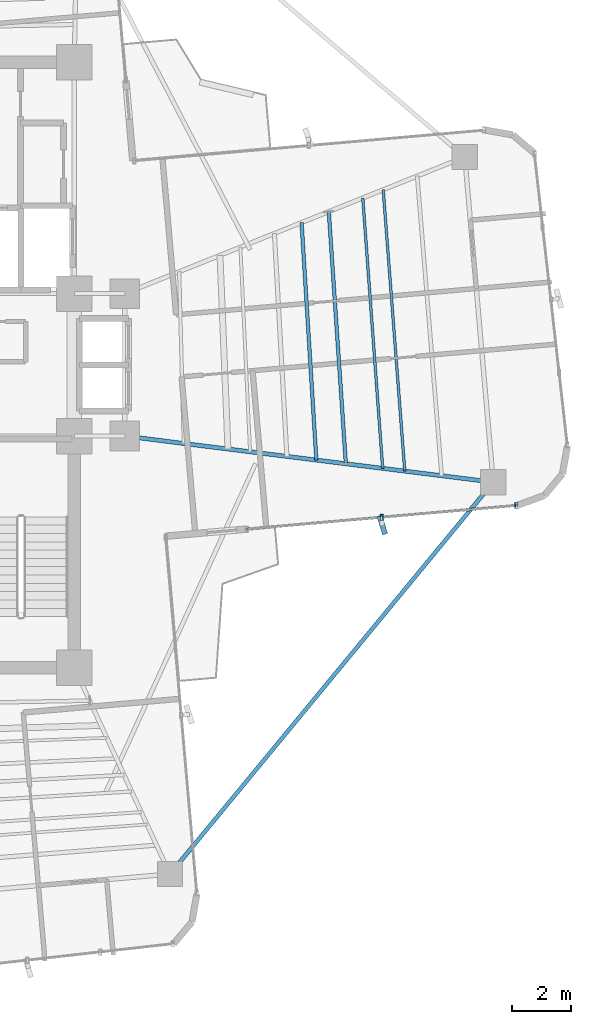
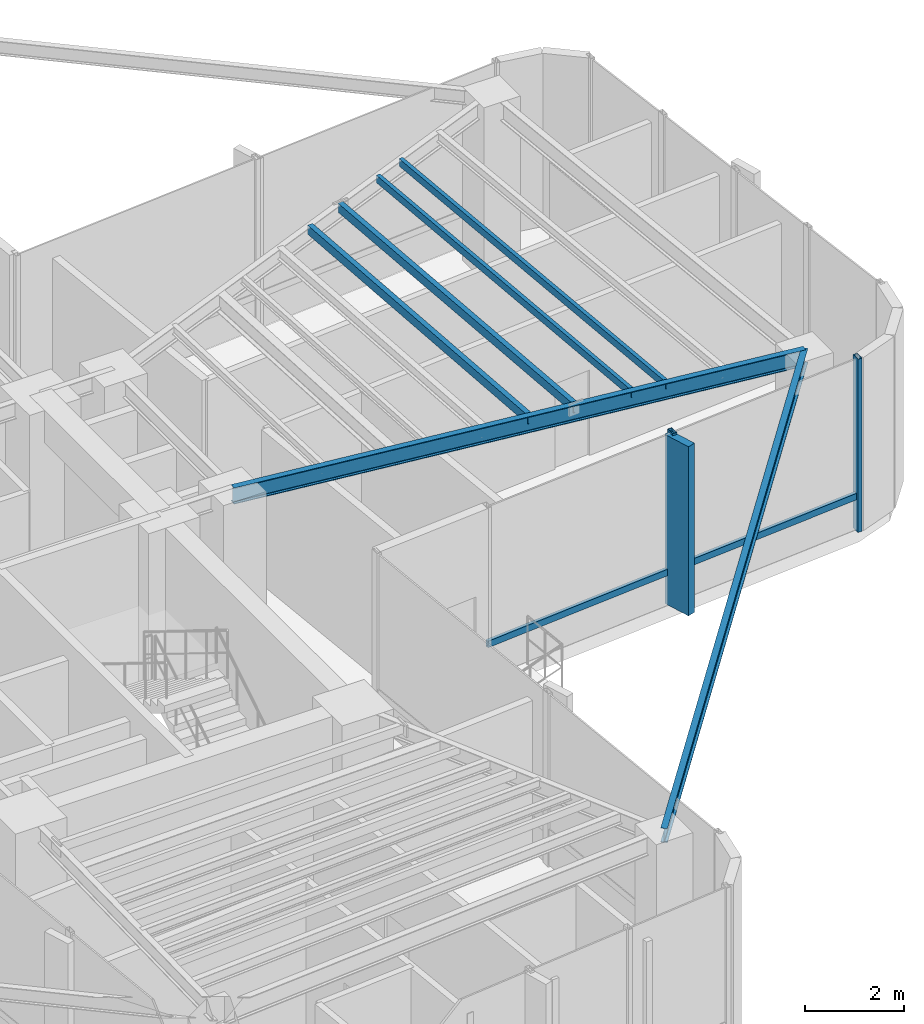
# One storey, part 8 of 19: 6 beams, 5 members, 1 element without a shape of its own.
"""IFC4 building model written with IfcOpenShell, lengths in metres."""

import ifcopenshell
import ifcopenshell.guid

model = None  # the IFC model being written
_history = None  # IfcOwnerHistory: only IFC2X3 demands one
_inside = {}  # id of a spatial element -> (the spatial element, [elements in it])
_under = {}  # id of a project, library or spatial element -> (it, [spatial elements below it])
_declared = {}  # id of a project -> (the project, [libraries it declares])
_typed = {}  # id of a type object -> (the type object, [elements of that type])
_made_of = {}  # id of a material, layer set ... -> (it, [elements and type objects made of it])


def new_model(schema):
    """Start an empty IFC model of exactly this schema.

    Asked for "IFC4X3", IfcOpenShell would pick the latest addendum, in which some entities
    have other attributes; the version numbers below select the first issue.
    IFC2X3 requires an IfcOwnerHistory on every rooted entity: one is made here for all.
    """
    global model, _history
    if schema == "IFC4X3":
        model = ifcopenshell.file(schema_version=(4, 3, 0, 0))
    else:
        model = ifcopenshell.file(schema=schema)
    _inside.clear()
    _under.clear()
    _declared.clear()
    _typed.clear()
    _made_of.clear()
    _history = None
    if model.schema == "IFC2X3":
        org = make("IfcOrganization", Name="unknown")
        user = make(
            "IfcPersonAndOrganization",
            ThePerson=make("IfcPerson", FamilyName="unknown"),
            TheOrganization=org,
        )
        app = make(
            "IfcApplication",
            ApplicationDeveloper=org,
            Version="unknown",
            ApplicationFullName="unknown",
            ApplicationIdentifier="unknown",
        )
        _history = make(
            "IfcOwnerHistory",
            OwningUser=user,
            OwningApplication=app,
            ChangeAction="ADDED",
            CreationDate=0,
        )
    return model


def make(cls, **values):
    """One entity of the class cls with the attributes given. An attribute that is None is left unset."""
    return model.create_entity(
        cls, **{name: value for name, value in values.items() if value is not None}
    )


def rooted(cls, **values):
    """An entity with a GlobalId (a new one), such as an element, a storey or a relation."""
    return make(cls, GlobalId=ifcopenshell.guid.new(), OwnerHistory=_history, **values)


def si_unit(unit_type, name, prefix=None):
    """IfcSIUnit, for example si_unit("LENGTHUNIT", "METRE", prefix="MILLI")."""
    return make("IfcSIUnit", UnitType=unit_type, Prefix=prefix, Name=name)


def assignment(units):
    """IfcUnitAssignment: the units of a project."""
    return None if units is None else make("IfcUnitAssignment", Units=units)


def point(xyz):
    """IfcCartesianPoint."""
    return None if xyz is None else make("IfcCartesianPoint", Coordinates=xyz)


def direction(xyz):
    """IfcDirection."""
    return None if xyz is None else make("IfcDirection", DirectionRatios=xyz)


def frame(location, z_axis=None, x_axis=None):
    """IfcAxis2Placement3D, a coordinate frame: its origin and axes. An axis left out is left unset."""
    return make(
        "IfcAxis2Placement3D",
        Location=point(location),
        Axis=direction(z_axis),
        RefDirection=direction(x_axis),
    )


def frame_2d(location, x_axis=None):
    """IfcAxis2Placement2D, a coordinate frame in the plane: its origin and x axis."""
    return make(
        "IfcAxis2Placement2D", Location=point(location), RefDirection=direction(x_axis)
    )


def origin():
    """The frame at (0, 0, 0) with its axes left unset."""
    return frame((0.0, 0.0, 0.0))


def origin_2d():
    """The frame at (0, 0) in the plane with its x axis left unset."""
    return frame_2d((0.0, 0.0))


def place(relative_to, where):
    """IfcLocalPlacement: puts the frame where relative to a parent placement (None: the world)."""
    return make(
        "IfcLocalPlacement", PlacementRelTo=relative_to, RelativePlacement=where
    )


def context(
    kind, dimensions, precision=None, world=None, true_north=None, identifier=None
):
    """IfcGeometricRepresentationContext, for example the 3D "Model" context."""
    return make(
        "IfcGeometricRepresentationContext",
        ContextIdentifier=identifier,
        ContextType=kind,
        CoordinateSpaceDimension=dimensions,
        Precision=precision,
        WorldCoordinateSystem=world,
        TrueNorth=true_north,
    )


def subcontext(parent, identifier, kind, view, scale=None):
    """IfcGeometricRepresentationSubContext, for example "Body" below "Model"."""
    return make(
        "IfcGeometricRepresentationSubContext",
        ContextIdentifier=identifier,
        ContextType=kind,
        ParentContext=parent,
        TargetScale=scale,
        TargetView=view,
    )


def project(units=None, contexts=None):
    """IfcProject with its units and contexts."""
    return rooted(
        "IfcProject",
        Name="project",
        RepresentationContexts=contexts,
        UnitsInContext=assignment(units),
    )


def spatial(cls, under=None, at=None, **own):
    """A site, building, storey or space (cls), placed at a placement, below another one or the project."""
    s = rooted(cls, ObjectPlacement=at, **own)
    if under is not None:
        _under.setdefault(under.id(), (under, []))[1].append(s)
    return s


def profile(cls, at=None, kind="AREA", **sizes):
    """A parametric profile (cls). Its sizes go by their IFC names, for example OverallWidth=200.0."""
    return make(cls, ProfileType=kind, Position=at, **sizes)


def rectangle(**sizes):
    """IfcRectangleProfileDef."""
    return profile("IfcRectangleProfileDef", **sizes)


def hollow_rectangle(**sizes):
    """IfcRectangleHollowProfileDef."""
    return profile("IfcRectangleHollowProfileDef", **sizes)


def i_section(**sizes):
    """IfcIShapeProfileDef."""
    return profile("IfcIShapeProfileDef", **sizes)


def extrude(swept, where, along, depth):
    """IfcExtrudedAreaSolid: the profile swept, set in the frame where, extruded along a direction by depth."""
    return make(
        "IfcExtrudedAreaSolid",
        SweptArea=swept,
        Position=where,
        ExtrudedDirection=direction(along),
        Depth=depth,
    )


def shape(context_of_items, identifier, shape_type, items):
    """IfcShapeRepresentation: the items that make up one representation, for example the "Body"."""
    return make(
        "IfcShapeRepresentation",
        ContextOfItems=context_of_items,
        RepresentationIdentifier=identifier,
        RepresentationType=shape_type,
        Items=items,
    )


def source(mapping_origin, context_of_items, identifier, shape_type, items):
    """IfcRepresentationMap: a shape defined once, which mapped items show again and again."""
    return make(
        "IfcRepresentationMap",
        MappingOrigin=mapping_origin,
        MappedRepresentation=shape(context_of_items, identifier, shape_type, items),
    )


def transform(
    local_origin,
    x_axis=None,
    y_axis=None,
    z_axis=None,
    scale=None,
    scale2=None,
    scale3=None,
    uniform=True,
):
    """IfcCartesianTransformationOperator3D, or its non-uniform kind. x_axis, y_axis, z_axis: its Axis1, 2, 3."""
    if uniform:
        return make(
            "IfcCartesianTransformationOperator3D",
            Axis1=direction(x_axis),
            Axis2=direction(y_axis),
            LocalOrigin=point(local_origin),
            Scale=scale,
            Axis3=direction(z_axis),
        )
    return make(
        "IfcCartesianTransformationOperator3DnonUniform",
        Axis1=direction(x_axis),
        Axis2=direction(y_axis),
        LocalOrigin=point(local_origin),
        Scale=scale,
        Axis3=direction(z_axis),
        Scale2=scale2,
        Scale3=scale3,
    )


def mapped(mapping_source, mapping_target):
    """IfcMappedItem: shows the shape of a source again, moved by a transform."""
    return make(
        "IfcMappedItem", MappingSource=mapping_source, MappingTarget=mapping_target
    )


def material(Name=None, Category=None):
    """IfcMaterial."""
    return make("IfcMaterial", Name=Name, Category=Category)


def material_profile(
    of_material, cross_section, Name=None, Category=None, Priority=None
):
    """IfcMaterialProfile: a cross section and its material."""
    return make(
        "IfcMaterialProfile",
        Name=Name,
        Material=of_material,
        Profile=cross_section,
        Priority=Priority,
        Category=Category,
    )


def profile_set(profiles, Name=None, composite=None):
    """IfcMaterialProfileSet."""
    return make(
        "IfcMaterialProfileSet",
        Name=Name,
        MaterialProfiles=profiles,
        CompositeProfile=composite,
    )


def made_of(thing, what):
    """Note that an element or type object is made of a material, layer set ...; save() writes the relation."""
    if what is not None:
        _made_of.setdefault(what.id(), (what, []))[1].append(thing)
    return thing


def type_object(cls, material=None, **own):
    """A type object (cls), such as IfcWallType, which elements share."""
    return made_of(rooted(cls, **own), material)


def element(
    cls,
    number,
    at=None,
    inside=None,
    cuts=None,
    type_object=None,
    material=None,
    context=None,
    identifier="Body",
    shape_type=None,
    held_by="IfcProductDefinitionShape",
    body=None,
    shapes=None,
    **own,
):
    """One element of the class cls, such as IfcWall. Its Tag is "e" and its number.

    at: its placement. inside: the storey or other place that contains it. cuts: it is an
    opening in that element (IfcRelVoidsElement). A single representation is given by context,
    identifier, shape_type and body (its items); several are given by shapes. held_by: the class
    of the entity that holds the representations. save() writes the other relations.
    """
    e = rooted(cls, Tag="e%d" % number, ObjectPlacement=at, **own)
    if body is not None:
        shapes = [shape(context, identifier, shape_type, body)]
    if shapes is not None:
        e.Representation = make(held_by, Representations=shapes)
    if inside is not None:
        _inside.setdefault(inside.id(), (inside, []))[1].append(e)
    if cuts is not None:
        rooted(
            "IfcRelVoidsElement", RelatingBuildingElement=cuts, RelatedOpeningElement=e
        )
    if type_object is not None:
        _typed.setdefault(type_object.id(), (type_object, []))[1].append(e)
    return made_of(e, material)


def aggregate(whole, parts):
    """IfcRelAggregates: a whole, such as a stair, and the parts it consists of."""
    return rooted("IfcRelAggregates", RelatingObject=whole, RelatedObjects=parts)


def save(model, path):
    """Write the relations noted so far, then the file.

    IfcRelAggregates (storeys below a building ...), IfcRelContainedInSpatialStructure (elements
    in a storey), IfcRelDefinesByType, IfcRelAssociatesMaterial and IfcRelDeclares: one each for
    every whole, place, type object, material and project.
    """
    for whole, parts in _under.values():
        aggregate(whole, parts)
    for where, things in _inside.values():
        rooted(
            "IfcRelContainedInSpatialStructure",
            RelatedElements=things,
            RelatingStructure=where,
        )
    for kind, things in _typed.values():
        rooted("IfcRelDefinesByType", RelatedObjects=things, RelatingType=kind)
    for what, things in _made_of.values():
        rooted("IfcRelAssociatesMaterial", RelatedObjects=things, RelatingMaterial=what)
    for by, libraries in _declared.values():
        rooted("IfcRelDeclares", RelatingContext=by, RelatedDefinitions=libraries)
    model.write(path)


model = new_model("IFC4")

# Units and contexts
model_context = context("Model", 3, precision=1e-05, world=origin(), true_north=direction((0.0, 1.0)))
body_context = subcontext(model_context, "Body", "Model", "MODEL_VIEW")
ifc_project = project(units=[si_unit("LENGTHUNIT", "METRE"), si_unit("AREAUNIT", "SQUARE_METRE"), si_unit("VOLUMEUNIT", "CUBIC_METRE"), si_unit("PLANEANGLEUNIT", "RADIAN"), si_unit("MASSUNIT", "GRAM", prefix="KILO")], contexts=[model_context])

# Site, building, storey
site_placement = place(None, origin())
site = spatial("IfcSite", under=ifc_project, at=site_placement, CompositionType="ELEMENT")
building_placement = place(site_placement, origin())
building = spatial("IfcBuilding", under=site, at=building_placement, Name="Sahyath Konkavel Grand Hotel", CompositionType="ELEMENT")
storey_placement = place(building_placement, frame((0.0, 0.0, 142.75)))
storey = spatial("IfcBuildingStorey", under=building, at=storey_placement, Name="L39", CompositionType="ELEMENT", Elevation=142.75)

# Beams
ifc_material_1 = material(Name="Steel E350", Category="steel")
ifc_material_profile_1 = material_profile(ifc_material_1, i_section(OverallWidth=0.139892578125, OverallDepth=0.39990234375, WebThickness=0.0087890625, FlangeThickness=0.01611328125, FilletRadius=0.013916015625, at=origin_2d()), Name="ISMB 400")
ifc_profile_set_1 = profile_set([ifc_material_profile_1], Name="Steel E350")
beam_type_1 = type_object("IfcBeamType", Name="BM-ISMB400", PredefinedType="BEAM", material=ifc_profile_set_1)
shared_shape_1 = source(origin(), body_context, "Body", "SweptSolid", [
    extrude(i_section(OverallWidth=0.139892578125, OverallDepth=0.39990234375, WebThickness=0.0087890625, FlangeThickness=0.01611328125, FilletRadius=0.013916015625, at=origin_2d()), origin(), (0.0, 0.0, 1.0), 12.509765625),
])
beam_1_placement = place(storey_placement, frame((5.5, -2.39990234375, 4.06005859375), z_axis=(0.992254740459, -0.124219684578, 0.0), x_axis=(0.124219684578, 0.992254740459, 0.0)))
element("IfcBeam", 1, at=beam_1_placement, inside=storey, type_object=beam_type_1, Name="L39 Cruciform Radial Girder EA", PredefinedType="BEAM", context=body_context, shape_type="MappedRepresentation", body=[
    mapped(shared_shape_1, transform((0.0, 0.0, 0.0), scale=1.0)),
])
ifc_material_profile_2 = material_profile(ifc_material_1, i_section(OverallWidth=0.139892578125, OverallDepth=0.35009765625, WebThickness=0.008056640625, FlangeThickness=0.01416015625, FilletRadius=0.013916015625, at=origin_2d()), Name="ISMB 350")
ifc_profile_set_2 = profile_set([ifc_material_profile_2], Name="Steel E350")
beam_type_2 = type_object("IfcBeamType", Name="BM-ISMB350", PredefinedType="BEAM", material=ifc_profile_set_2)
shared_shape_2 = source(origin(), body_context, "Body", "SweptSolid", [
    extrude(i_section(OverallWidth=0.139892578125, OverallDepth=0.35009765625, WebThickness=0.008056640625, FlangeThickness=0.01416015625, FilletRadius=0.013916015625, at=origin_2d()), origin(), (0.0, 0.0, 1.0), 17.112548828125),
])
beam_2_placement = place(storey_placement, frame((17.912841796875, -3.953857421875, 4.0849609375), z_axis=(-0.636437070092, -0.77132863023, 0.0), x_axis=(0.77132863023, -0.636437070092, 0.0)))
element("IfcBeam", 2, at=beam_2_placement, inside=storey, type_object=beam_type_2, Name="L39 Re-Entrant Tie Beam SE", PredefinedType="BEAM", context=body_context, shape_type="MappedRepresentation", body=[
    mapped(shared_shape_2, transform((0.0, 0.0, 0.0), scale=1.0)),
])
ifc_material_profile_3 = material_profile(ifc_material_1, hollow_rectangle(XDim=0.1201171875, YDim=0.219970703125, WallThickness=0.010009765625, at=origin_2d()), Name="RHS 220x120x10")
ifc_profile_set_3 = profile_set([ifc_material_profile_3], Name="Steel E350")
beam_type_3 = type_object("IfcBeamType", Name="BM-RHS220", PredefinedType="BEAM", material=ifc_profile_set_3)
shared_shape_3 = source(origin(), body_context, "Body", "SweptSolid", [
    extrude(hollow_rectangle(XDim=0.1201171875, YDim=0.219970703125, WallThickness=0.010009765625, at=origin_2d()), origin(), (0.0, 0.0, 1.0), 8.017822265625),
])
beam_3_placement = place(storey_placement, frame((11.95458984375, -3.2080078125, 4.14990234375), z_axis=(-0.062179233264, 0.998064999362, 0.0), x_axis=(-0.998064999362, -0.062179233264, 0.0)))
element("IfcBeam", 3, at=beam_3_placement, inside=storey, type_object=beam_type_3, Name="L39 Secondary Floor Beam E-2", PredefinedType="BEAM", context=body_context, shape_type="MappedRepresentation", body=[
    mapped(shared_shape_3, transform((0.0, 0.0, 0.0), scale=1.0)),
])
ifc_material_profile_4 = material_profile(ifc_material_1, hollow_rectangle(XDim=0.090087890625, YDim=0.179931640625, WallThickness=0.008056640625, at=origin_2d()), Name="RHS 180x90x8")
ifc_profile_set_4 = profile_set([ifc_material_profile_4], Name="Steel E350")
beam_type_4 = type_object("IfcBeamType", Name="BM-RHS180", PredefinedType="BEAM", material=ifc_profile_set_4)
shared_shape_4 = source(origin(), body_context, "Body", "SweptSolid", [
    extrude(hollow_rectangle(XDim=0.090087890625, YDim=0.179931640625, WallThickness=0.008056640625, at=origin_2d()), origin(), (0.0, 0.0, 1.0), 9.508056640625),
])
beam_4_placement = place(storey_placement, frame((14.93359375, -3.580810546875, 4.169921875), z_axis=(-0.076619921029, 0.997060373148, 0.0), x_axis=(-0.997060373148, -0.076619921029, 0.0)))
element("IfcBeam", 4, at=beam_4_placement, inside=storey, type_object=beam_type_4, Name="L39 Secondary Floor Beam E-3", PredefinedType="BEAM", context=body_context, shape_type="MappedRepresentation", body=[
    mapped(shared_shape_4, transform((0.0, 0.0, 0.0), scale=1.0)),
])
shared_shape_5 = source(origin(), body_context, "Body", "SweptSolid", [
    extrude(hollow_rectangle(XDim=0.1201171875, YDim=0.219970703125, WallThickness=0.010009765625, at=origin_2d()), origin(), (0.0, 0.0, 1.0), 8.514404296875),
])
beam_5_placement = place(storey_placement, frame((12.94775390625, -3.332275390625, 4.14990234375), z_axis=(-0.067556190537, 0.997715471024, 0.0), x_axis=(-0.997715471024, -0.067556190537, 0.0)))
element("IfcBeam", 5, at=beam_5_placement, inside=storey, type_object=beam_type_3, Name="L39 Composite Deck Sub-Beam E-4", PredefinedType="BEAM", context=body_context, shape_type="MappedRepresentation", body=[
    mapped(shared_shape_5, transform((0.0, 0.0, 0.0), scale=1.0)),
])
shared_shape_6 = source(origin(), body_context, "Body", "SweptSolid", [
    extrude(hollow_rectangle(XDim=0.090087890625, YDim=0.179931640625, WallThickness=0.008056640625, at=origin_2d()), origin(), (0.0, 0.0, 1.0), 9.135498046875),
])
beam_6_placement = place(storey_placement, frame((14.18896484375, -3.48779296875, 4.169921875), z_axis=(-0.073465127158, 0.997297786567, 0.0), x_axis=(-0.997297786567, -0.073465127158, 0.0)))
element("IfcBeam", 6, at=beam_6_placement, inside=storey, type_object=beam_type_4, Name="L39 Composite Deck Sub-Beam E-5", PredefinedType="BEAM", context=body_context, shape_type="MappedRepresentation", body=[
    mapped(shared_shape_6, transform((0.0, 0.0, 0.0), scale=1.0)),
])

# Curtain wall, members
ifc_material_2 = material(Name="Anodised Bronze Aluminium & Low-E Glazing", Category="aluminium")
curtain_wall_type = type_object("IfcCurtainWallType", Name="CW-SKYLOBBY", PredefinedType="NOTDEFINED", material=ifc_material_2)
curtain_wall_placement = place(storey_placement, origin())
curtain_wall = element("IfcCurtainWall", 7, at=curtain_wall_placement, inside=storey, type_object=curtain_wall_type, Name="L39 Unitised Curtain Wall F0", PredefinedType="NOTDEFINED")
ifc_material_3 = material(Name="Anodised Bronze Aluminium", Category="aluminium")
ifc_material_profile_5 = material_profile(ifc_material_3, hollow_rectangle(XDim=0.10009765625, YDim=0.199951171875, WallThickness=0.008056640625, at=origin_2d()), Name="RHS 200x100x8")
ifc_profile_set_5 = profile_set([ifc_material_profile_5], Name="Anodised Bronze Aluminium")
member_type_1 = type_object("IfcMemberType", Name="CW-MUL-200", PredefinedType="MULLION", material=ifc_profile_set_5)
shared_shape_7 = source(origin(), body_context, "Body", "SweptSolid", [
    extrude(hollow_rectangle(XDim=0.10009765625, YDim=0.199951171875, WallThickness=0.008056640625, at=origin_2d()), origin(), (0.0, 0.0, 1.0), 4.260009765625),
])
member_1_placement = place(storey_placement, frame((14.151611328125, -5.135986328125, 0.0), z_axis=(0.0, 0.0, 1.0), x_axis=(1.0, 0.0, 0.0)))
member_1 = element("IfcMember", 8, at=member_1_placement, type_object=member_type_1, Name="L39 Curtain Wall Mullion F0-1", PredefinedType="MULLION", context=body_context, shape_type="MappedRepresentation", body=[
    mapped(shared_shape_7, transform((0.0, 0.0, 0.0), scale=1.0)),
])
member_2_placement = place(storey_placement, frame((18.694091796875, -4.73876953125, 0.0), z_axis=(0.0, 0.0, 1.0), x_axis=(1.0, 0.0, 0.0)))
member_2 = element("IfcMember", 9, at=member_2_placement, type_object=member_type_1, Name="L39 Curtain Wall Mullion F0-2", PredefinedType="MULLION", context=body_context, shape_type="MappedRepresentation", body=[
    mapped(shared_shape_7, transform((0.0, 0.0, 0.0), scale=1.0)),
])
ifc_material_4 = material(Name="Warm Buff Sandstone Cladding on Concrete C50/60", Category="masonry")
ifc_material_profile_6 = material_profile(ifc_material_4, rectangle(XDim=0.179931640625, YDim=0.64990234375, at=origin_2d()), Name="FIN 180x650")
ifc_profile_set_6 = profile_set([ifc_material_profile_6], Name="Warm Buff Sandstone Cladding on Concrete C50/60")
member_type_2 = type_object("IfcMemberType", Name="FIN-SANDSTONE-650", PredefinedType="MULLION", material=ifc_profile_set_6)
shared_shape_8 = source(origin(), body_context, "Body", "SweptSolid", [
    extrude(rectangle(XDim=0.179931640625, YDim=0.64990234375, at=origin_2d()), origin(), (0.0, 0.0, 1.0), 4.159912109375),
])
member_3_placement = place(storey_placement, frame((14.17431640625, -5.39501953125, 0.050048828125), z_axis=(0.0, 0.0, 1.0), x_axis=(0.954083620326, 0.299540390309, 0.0)))
member_3 = element("IfcMember", 10, at=member_3_placement, type_object=member_type_2, Name="L39 Sandstone Vertical Solar Fin FIN F0-1", PredefinedType="MULLION", context=body_context, shape_type="MappedRepresentation", body=[
    mapped(shared_shape_8, transform((0.0, 0.0, 0.0), scale=1.0)),
])
ifc_material_profile_7 = material_profile(ifc_material_3, hollow_rectangle(XDim=0.080078125, YDim=0.159912109375, WallThickness=0.006103515625, at=origin_2d()), Name="RHS 160x80x6")
ifc_profile_set_7 = profile_set([ifc_material_profile_7], Name="Anodised Bronze Aluminium")
member_type_3 = type_object("IfcMemberType", Name="CW-TRN-160", PredefinedType="USERDEFINED", material=ifc_profile_set_7)
shared_shape_9 = source(origin(), body_context, "Body", "SweptSolid", [
    extrude(hollow_rectangle(XDim=0.080078125, YDim=0.159912109375, WallThickness=0.006103515625, at=origin_2d()), origin(), (0.0, 0.0, 1.0), 4.56005859375),
])
member_4_placement = place(storey_placement, frame((9.60888671875, -5.53369140625, 0.85009765625), z_axis=(0.996189590376, 0.087214104516, 0.0), x_axis=(-0.087214104516, 0.996189590376, 0.0)))
member_4 = element("IfcMember", 11, at=member_4_placement, type_object=member_type_3, Name="L39 Curtain Wall Transom F0-0-spandrel", ObjectType="TRANSOM", PredefinedType="USERDEFINED", context=body_context, shape_type="MappedRepresentation", body=[
    mapped(shared_shape_9, transform((0.0, 0.0, 0.0), scale=1.0)),
])
shared_shape_10 = source(origin(), body_context, "Body", "SweptSolid", [
    extrude(hollow_rectangle(XDim=0.080078125, YDim=0.159912109375, WallThickness=0.006103515625, at=origin_2d()), origin(), (0.0, 0.0, 1.0), 4.559814453125),
])
member_5_placement = place(storey_placement, frame((14.151611328125, -5.135986328125, 0.85009765625), z_axis=(0.99619848155, 0.087112486804, 0.0), x_axis=(-0.087112486804, 0.99619848155, 0.0)))
member_5 = element("IfcMember", 12, at=member_5_placement, type_object=member_type_3, Name="L39 Curtain Wall Transom F0-1-spandrel", ObjectType="TRANSOM", PredefinedType="USERDEFINED", context=body_context, shape_type="MappedRepresentation", body=[
    mapped(shared_shape_10, transform((0.0, 0.0, 0.0), scale=1.0)),
])
aggregate(curtain_wall, [member_1, member_3, member_2, member_4, member_5])

save(model, "model.ifc")
